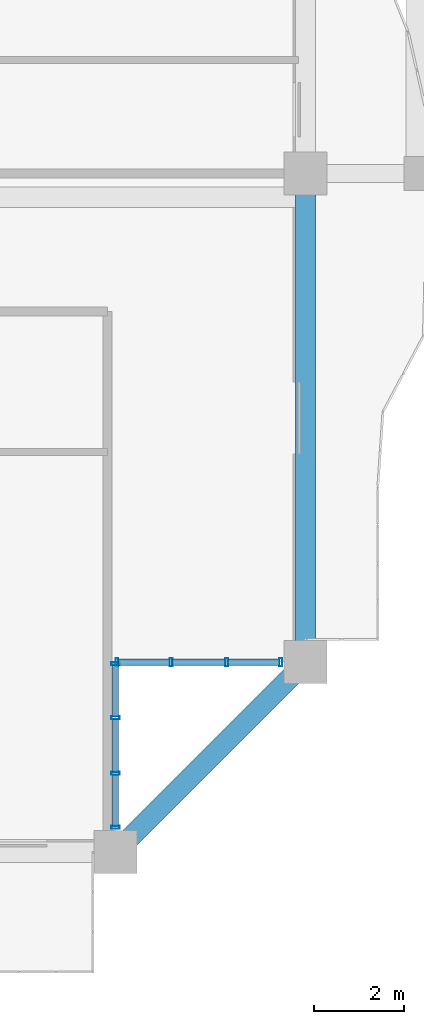
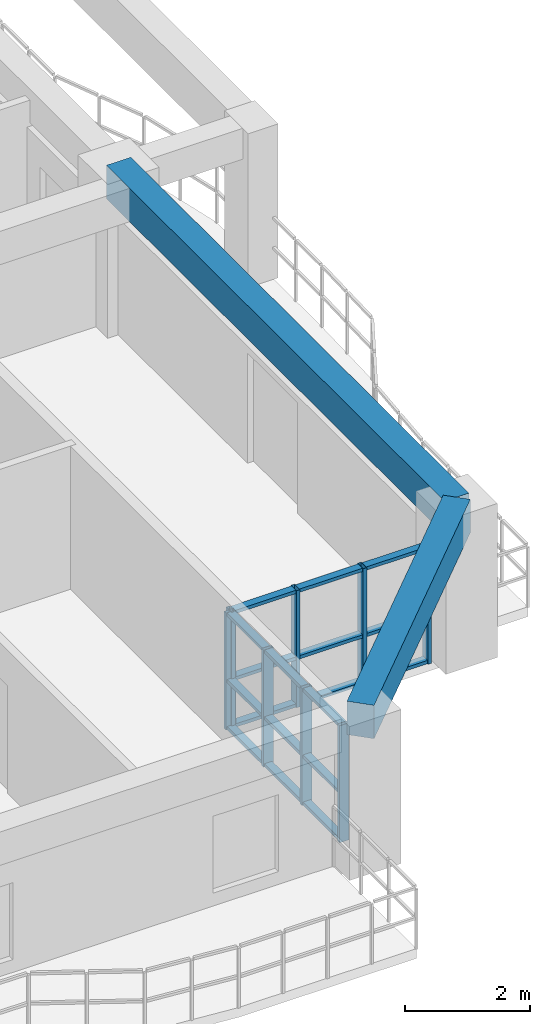
# One storey, part 4 of 25: 26 members, 2 beams, 2 elements without a shape of their own.
"""IFC4 building model written with IfcOpenShell, lengths in metres."""

from ifc_helpers import new_model, si_unit, direction, frame, origin, origin_2d, place, context, subcontext, project, spatial, rectangle, hollow_rectangle, extrude, source, transform, mapped, material, layer, layer_set, material_profile, profile_set, type_object, element, aggregate, save


model = new_model("IFC4")

# Units and contexts
model_context = context("Model", 3, precision=1e-05, world=origin(), true_north=direction((0.0, 1.0)))
body_context = subcontext(model_context, "Body", "Model", "MODEL_VIEW")
ifc_project = project(units=[si_unit("LENGTHUNIT", "METRE"), si_unit("AREAUNIT", "SQUARE_METRE"), si_unit("VOLUMEUNIT", "CUBIC_METRE"), si_unit("PLANEANGLEUNIT", "RADIAN"), si_unit("MASSUNIT", "GRAM", prefix="KILO")], contexts=[model_context])

# Site, building, storey
site_placement = place(None, origin())
site = spatial("IfcSite", under=ifc_project, at=site_placement, CompositionType="ELEMENT")
building_placement = place(site_placement, origin())
building = spatial("IfcBuilding", under=site, at=building_placement, Name="Saelheon Loggia Tower", CompositionType="ELEMENT")
storey_placement = place(building_placement, frame((0.0, 0.0, 80.85009765625)))
storey = spatial("IfcBuildingStorey", under=building, at=storey_placement, Name="L25", CompositionType="ELEMENT", Elevation=80.85009765625)

# Beams
ifc_material_1 = material(Name="Concrete C40/50", Category="concrete")
ifc_material_profile_1 = material_profile(ifc_material_1, rectangle(XDim=0.449951171875, YDim=0.64990234375, at=origin_2d()), Name="RC-450x650")
ifc_profile_set_1 = profile_set([ifc_material_profile_1], Name="Concrete C40/50")
beam_type = type_object("IfcBeamType", Name="Beam_PerimTower_RC450x650", PredefinedType="BEAM", material=ifc_profile_set_1)
shared_shape_1 = source(origin(), body_context, "Body", "SweptSolid", [
    extrude(rectangle(XDim=0.449951171875, YDim=0.64990234375, at=origin_2d()), origin(), (0.0, 0.0, 1.0), 5.939697265625),
])
beam_1_placement = place(storey_placement, frame((59.800048828125, 3.0, 2.6748046875), z_axis=(0.707106781187, 0.707106781187, 0.0), x_axis=(-0.707106781187, 0.707106781187, 0.0)))
element("IfcBeam", 1, at=beam_1_placement, inside=storey, type_object=beam_type, Name="L25 Perimeter Frame Girder 04", PredefinedType="BEAM", context=body_context, shape_type="MappedRepresentation", body=[
    mapped(shared_shape_1, transform((0.0, 0.0, 0.0), scale=1.0)),
])
shared_shape_2 = source(origin(), body_context, "Body", "SweptSolid", [
    extrude(rectangle(XDim=0.449951171875, YDim=0.64990234375, at=origin_2d()), origin(), (0.0, 0.0, 1.0), 10.800048828125),
])
beam_2_placement = place(storey_placement, frame((64.0, 7.199951171875, 2.6748046875), z_axis=(0.0, 1.0, 0.0), x_axis=(-1.0, 0.0, 0.0)))
element("IfcBeam", 2, at=beam_2_placement, inside=storey, type_object=beam_type, Name="L25 Perimeter Frame Girder 05", PredefinedType="BEAM", context=body_context, shape_type="MappedRepresentation", body=[
    mapped(shared_shape_2, transform((0.0, 0.0, 0.0), scale=1.0)),
])

# Curtain wall, members
ifc_material_2 = material(Name="Thermal-Break Aluminium and Triple Low-E Glass", Category="aluminium")
ifc_layer = layer(ifc_material_2, 0.159912109375)
ifc_layer_set = layer_set([ifc_layer], Name="Thermal-Break Aluminium and Triple Low-E Glass")
curtain_wall_type = type_object("IfcCurtainWallType", Name="CW_TowerLoggiaLow", PredefinedType="NOTDEFINED", material=ifc_layer_set)
curtain_wall_1_placement = place(storey_placement, origin())
curtain_wall_1 = element("IfcCurtainWall", 3, at=curtain_wall_1_placement, inside=storey, type_object=curtain_wall_type, Name="L25 Corner Notch Glazing SE1", PredefinedType="NOTDEFINED")
ifc_material_3 = material(Name="Anodised Aluminium 6063-T6", Category="aluminium")
ifc_material_profile_2 = material_profile(ifc_material_3, hollow_rectangle(XDim=0.06494140625, YDim=0.179931640625, WallThickness=0.00390625, at=origin_2d()), Name="RHS-180x65x4")
ifc_profile_set_2 = profile_set([ifc_material_profile_2], Name="Anodised Aluminium 6063-T6")
member_type_1 = type_object("IfcMemberType", Name="CW_TowerLoggiaLow_Mullion", PredefinedType="MULLION", material=ifc_profile_set_2)
shared_shape_3 = source(origin(), body_context, "Body", "SweptSolid", [
    extrude(hollow_rectangle(XDim=0.06494140625, YDim=0.179931640625, WallThickness=0.00390625, at=origin_2d()), origin(), (0.0, 0.0, 1.0), 2.27978515625),
])
member_1_placement = place(storey_placement, frame((59.800048828125, 3.547607421875, 0.0), z_axis=(0.0, 0.0, 1.0), x_axis=(0.0, 1.0, 0.0)))
member_1 = element("IfcMember", 4, at=member_1_placement, type_object=member_type_1, Name="CW3 mullion 1", PredefinedType="MULLION", context=body_context, shape_type="MappedRepresentation", body=[
    mapped(shared_shape_3, transform((0.0, 0.0, 0.0), scale=1.0)),
])
member_2_placement = place(storey_placement, frame((59.800048828125, 4.743408203125, 0.0), z_axis=(0.0, 0.0, 1.0), x_axis=(0.0, 1.0, 0.0)))
member_2 = element("IfcMember", 5, at=member_2_placement, type_object=member_type_1, Name="CW3 mullion 2", PredefinedType="MULLION", context=body_context, shape_type="MappedRepresentation", body=[
    mapped(shared_shape_3, transform((0.0, 0.0, 0.0), scale=1.0)),
])
member_3_placement = place(storey_placement, frame((59.800048828125, 5.9716796875, 0.0), z_axis=(0.0, 0.0, 1.0), x_axis=(0.0, 1.0, 0.0)))
member_3 = element("IfcMember", 6, at=member_3_placement, type_object=member_type_1, Name="CW3 mullion 3", PredefinedType="MULLION", context=body_context, shape_type="MappedRepresentation", body=[
    mapped(shared_shape_3, transform((0.0, 0.0, 0.0), scale=1.0)),
])
member_4_placement = place(storey_placement, frame((59.800048828125, 7.16748046875, 0.0), z_axis=(0.0, 0.0, 1.0), x_axis=(0.0, 1.0, 0.0)))
member_4 = element("IfcMember", 7, at=member_4_placement, type_object=member_type_1, Name="CW3 mullion 4", PredefinedType="MULLION", context=body_context, shape_type="MappedRepresentation", body=[
    mapped(shared_shape_3, transform((0.0, 0.0, 0.0), scale=1.0)),
])

curtain_wall_2_placement = place(storey_placement, origin())
curtain_wall_2 = element("IfcCurtainWall", 8, at=curtain_wall_2_placement, inside=storey, type_object=curtain_wall_type, Name="L25 Corner Notch Glazing SE2", PredefinedType="NOTDEFINED")
member_5_placement = place(storey_placement, frame((59.83251953125, 7.199951171875, 0.0), z_axis=(0.0, 0.0, 1.0), x_axis=(1.0, 0.0, 0.0)))
member_5 = element("IfcMember", 9, at=member_5_placement, type_object=member_type_1, Name="CW3 mullion 1", PredefinedType="MULLION", context=body_context, shape_type="MappedRepresentation", body=[
    mapped(shared_shape_3, transform((0.0, 0.0, 0.0), scale=1.0)),
])
member_6_placement = place(storey_placement, frame((61.0283203125, 7.199951171875, 0.0), z_axis=(0.0, 0.0, 1.0), x_axis=(1.0, 0.0, 0.0)))
member_6 = element("IfcMember", 10, at=member_6_placement, type_object=member_type_1, Name="CW3 mullion 2", PredefinedType="MULLION", context=body_context, shape_type="MappedRepresentation", body=[
    mapped(shared_shape_3, transform((0.0, 0.0, 0.0), scale=1.0)),
])
member_7_placement = place(storey_placement, frame((62.256591796875, 7.199951171875, 0.0), z_axis=(0.0, 0.0, 1.0), x_axis=(1.0, 0.0, 0.0)))
member_7 = element("IfcMember", 11, at=member_7_placement, type_object=member_type_1, Name="CW3 mullion 3", PredefinedType="MULLION", context=body_context, shape_type="MappedRepresentation", body=[
    mapped(shared_shape_3, transform((0.0, 0.0, 0.0), scale=1.0)),
])
member_8_placement = place(storey_placement, frame((63.452392578125, 7.199951171875, 0.0), z_axis=(0.0, 0.0, 1.0), x_axis=(1.0, 0.0, 0.0)))
member_8 = element("IfcMember", 12, at=member_8_placement, type_object=member_type_1, Name="CW3 mullion 4", PredefinedType="MULLION", context=body_context, shape_type="MappedRepresentation", body=[
    mapped(shared_shape_3, transform((0.0, 0.0, 0.0), scale=1.0)),
])

# Member
ifc_material_profile_3 = material_profile(ifc_material_3, hollow_rectangle(XDim=0.06494140625, YDim=0.139892578125, WallThickness=0.00390625, at=origin_2d()), Name="RHS-140x65x4")
ifc_profile_set_3 = profile_set([ifc_material_profile_3], Name="Anodised Aluminium 6063-T6")
member_type_2 = type_object("IfcMemberType", Name="CW_TowerLoggiaLow_Transom", PredefinedType="USERDEFINED", material=ifc_profile_set_3)
shared_shape_4 = source(origin(), body_context, "Body", "SweptSolid", [
    extrude(hollow_rectangle(XDim=0.06494140625, YDim=0.139892578125, WallThickness=0.00390625, at=origin_2d()), origin(), (0.0, 0.0, 1.0), 1.130859375),
])
member_9_placement = place(storey_placement, frame((59.800048828125, 3.580078125, 0.032470703125), z_axis=(0.0, 1.0, 0.0), x_axis=(0.0, 0.0, 1.0)))
member_9 = element("IfcMember", 13, at=member_9_placement, type_object=member_type_2, Name="CW3 transom 1.1", ObjectType="TRANSOM", PredefinedType="USERDEFINED", context=body_context, shape_type="MappedRepresentation", body=[
    mapped(shared_shape_4, transform((0.0, 0.0, 0.0), scale=1.0)),
])

member_10_placement = place(storey_placement, frame((59.800048828125, 3.580078125, 0.949951171875), z_axis=(0.0, 1.0, 0.0), x_axis=(0.0, 0.0, 1.0)))
member_10 = element("IfcMember", 14, at=member_10_placement, type_object=member_type_2, Name="CW3 transom 1.2", ObjectType="TRANSOM", PredefinedType="USERDEFINED", context=body_context, shape_type="MappedRepresentation", body=[
    mapped(shared_shape_4, transform((0.0, 0.0, 0.0), scale=1.0)),
])

member_11_placement = place(storey_placement, frame((59.800048828125, 3.580078125, 2.247314453125), z_axis=(0.0, 1.0, 0.0), x_axis=(0.0, 0.0, 1.0)))
member_11 = element("IfcMember", 15, at=member_11_placement, type_object=member_type_2, Name="CW3 transom 1.3", ObjectType="TRANSOM", PredefinedType="USERDEFINED", context=body_context, shape_type="MappedRepresentation", body=[
    mapped(shared_shape_4, transform((0.0, 0.0, 0.0), scale=1.0)),
])

member_12_placement = place(storey_placement, frame((59.800048828125, 6.004150390625, 0.032470703125), z_axis=(0.0, 1.0, 0.0), x_axis=(0.0, 0.0, 1.0)))
member_12 = element("IfcMember", 16, at=member_12_placement, type_object=member_type_2, Name="CW3 transom 3.1", ObjectType="TRANSOM", PredefinedType="USERDEFINED", context=body_context, shape_type="MappedRepresentation", body=[
    mapped(shared_shape_4, transform((0.0, 0.0, 0.0), scale=1.0)),
])

member_13_placement = place(storey_placement, frame((59.800048828125, 6.004150390625, 0.949951171875), z_axis=(0.0, 1.0, 0.0), x_axis=(0.0, 0.0, 1.0)))
member_13 = element("IfcMember", 17, at=member_13_placement, type_object=member_type_2, Name="CW3 transom 3.2", ObjectType="TRANSOM", PredefinedType="USERDEFINED", context=body_context, shape_type="MappedRepresentation", body=[
    mapped(shared_shape_4, transform((0.0, 0.0, 0.0), scale=1.0)),
])

member_14_placement = place(storey_placement, frame((59.800048828125, 6.004150390625, 2.247314453125), z_axis=(0.0, 1.0, 0.0), x_axis=(0.0, 0.0, 1.0)))
member_14 = element("IfcMember", 18, at=member_14_placement, type_object=member_type_2, Name="CW3 transom 3.3", ObjectType="TRANSOM", PredefinedType="USERDEFINED", context=body_context, shape_type="MappedRepresentation", body=[
    mapped(shared_shape_4, transform((0.0, 0.0, 0.0), scale=1.0)),
])

member_15_placement = place(storey_placement, frame((59.864990234375, 7.199951171875, 0.032470703125), z_axis=(1.0, 0.0, 0.0), x_axis=(0.0, 0.0, 1.0)))
member_15 = element("IfcMember", 19, at=member_15_placement, type_object=member_type_2, Name="CW3 transom 1.1", ObjectType="TRANSOM", PredefinedType="USERDEFINED", context=body_context, shape_type="MappedRepresentation", body=[
    mapped(shared_shape_4, transform((0.0, 0.0, 0.0), scale=1.0)),
])

member_16_placement = place(storey_placement, frame((59.864990234375, 7.199951171875, 0.949951171875), z_axis=(1.0, 0.0, 0.0), x_axis=(0.0, 0.0, 1.0)))
member_16 = element("IfcMember", 20, at=member_16_placement, type_object=member_type_2, Name="CW3 transom 1.2", ObjectType="TRANSOM", PredefinedType="USERDEFINED", context=body_context, shape_type="MappedRepresentation", body=[
    mapped(shared_shape_4, transform((0.0, 0.0, 0.0), scale=1.0)),
])

member_17_placement = place(storey_placement, frame((59.864990234375, 7.199951171875, 2.247314453125), z_axis=(1.0, 0.0, 0.0), x_axis=(0.0, 0.0, 1.0)))
member_17 = element("IfcMember", 21, at=member_17_placement, type_object=member_type_2, Name="CW3 transom 1.3", ObjectType="TRANSOM", PredefinedType="USERDEFINED", context=body_context, shape_type="MappedRepresentation", body=[
    mapped(shared_shape_4, transform((0.0, 0.0, 0.0), scale=1.0)),
])

member_18_placement = place(storey_placement, frame((62.2890625, 7.199951171875, 0.032470703125), z_axis=(1.0, 0.0, 0.0), x_axis=(0.0, 0.0, 1.0)))
member_18 = element("IfcMember", 22, at=member_18_placement, type_object=member_type_2, Name="CW3 transom 3.1", ObjectType="TRANSOM", PredefinedType="USERDEFINED", context=body_context, shape_type="MappedRepresentation", body=[
    mapped(shared_shape_4, transform((0.0, 0.0, 0.0), scale=1.0)),
])

member_19_placement = place(storey_placement, frame((62.2890625, 7.199951171875, 0.949951171875), z_axis=(1.0, 0.0, 0.0), x_axis=(0.0, 0.0, 1.0)))
member_19 = element("IfcMember", 23, at=member_19_placement, type_object=member_type_2, Name="CW3 transom 3.2", ObjectType="TRANSOM", PredefinedType="USERDEFINED", context=body_context, shape_type="MappedRepresentation", body=[
    mapped(shared_shape_4, transform((0.0, 0.0, 0.0), scale=1.0)),
])

member_20_placement = place(storey_placement, frame((62.2890625, 7.199951171875, 2.247314453125), z_axis=(1.0, 0.0, 0.0), x_axis=(0.0, 0.0, 1.0)))
member_20 = element("IfcMember", 24, at=member_20_placement, type_object=member_type_2, Name="CW3 transom 3.3", ObjectType="TRANSOM", PredefinedType="USERDEFINED", context=body_context, shape_type="MappedRepresentation", body=[
    mapped(shared_shape_4, transform((0.0, 0.0, 0.0), scale=1.0)),
])

shared_shape_5 = source(origin(), body_context, "Body", "SweptSolid", [
    extrude(hollow_rectangle(XDim=0.06494140625, YDim=0.139892578125, WallThickness=0.00390625, at=origin_2d()), origin(), (0.0, 0.0, 1.0), 1.163330078125),
])
member_21_placement = place(storey_placement, frame((59.800048828125, 4.77587890625, 0.032470703125), z_axis=(0.0, 1.0, 0.0), x_axis=(0.0, 0.0, 1.0)))
member_21 = element("IfcMember", 25, at=member_21_placement, type_object=member_type_2, Name="CW3 transom 2.1", ObjectType="TRANSOM", PredefinedType="USERDEFINED", context=body_context, shape_type="MappedRepresentation", body=[
    mapped(shared_shape_5, transform((0.0, 0.0, 0.0), scale=1.0)),
])

member_22_placement = place(storey_placement, frame((59.800048828125, 4.77587890625, 0.949951171875), z_axis=(0.0, 1.0, 0.0), x_axis=(0.0, 0.0, 1.0)))
member_22 = element("IfcMember", 26, at=member_22_placement, type_object=member_type_2, Name="CW3 transom 2.2", ObjectType="TRANSOM", PredefinedType="USERDEFINED", context=body_context, shape_type="MappedRepresentation", body=[
    mapped(shared_shape_5, transform((0.0, 0.0, 0.0), scale=1.0)),
])

member_23_placement = place(storey_placement, frame((59.800048828125, 4.77587890625, 2.247314453125), z_axis=(0.0, 1.0, 0.0), x_axis=(0.0, 0.0, 1.0)))
member_23 = element("IfcMember", 27, at=member_23_placement, type_object=member_type_2, Name="CW3 transom 2.3", ObjectType="TRANSOM", PredefinedType="USERDEFINED", context=body_context, shape_type="MappedRepresentation", body=[
    mapped(shared_shape_5, transform((0.0, 0.0, 0.0), scale=1.0)),
])

aggregate(curtain_wall_1, [member_1, member_2, member_3, member_4, member_9, member_10, member_11, member_21, member_22, member_23, member_12, member_13, member_14])

member_24_placement = place(storey_placement, frame((61.060791015625, 7.199951171875, 0.032470703125), z_axis=(1.0, 0.0, 0.0), x_axis=(0.0, 0.0, 1.0)))
member_24 = element("IfcMember", 28, at=member_24_placement, type_object=member_type_2, Name="CW3 transom 2.1", ObjectType="TRANSOM", PredefinedType="USERDEFINED", context=body_context, shape_type="MappedRepresentation", body=[
    mapped(shared_shape_5, transform((0.0, 0.0, 0.0), scale=1.0)),
])

member_25_placement = place(storey_placement, frame((61.060791015625, 7.199951171875, 0.949951171875), z_axis=(1.0, 0.0, 0.0), x_axis=(0.0, 0.0, 1.0)))
member_25 = element("IfcMember", 29, at=member_25_placement, type_object=member_type_2, Name="CW3 transom 2.2", ObjectType="TRANSOM", PredefinedType="USERDEFINED", context=body_context, shape_type="MappedRepresentation", body=[
    mapped(shared_shape_5, transform((0.0, 0.0, 0.0), scale=1.0)),
])

member_26_placement = place(storey_placement, frame((61.060791015625, 7.199951171875, 2.247314453125), z_axis=(1.0, 0.0, 0.0), x_axis=(0.0, 0.0, 1.0)))
member_26 = element("IfcMember", 30, at=member_26_placement, type_object=member_type_2, Name="CW3 transom 2.3", ObjectType="TRANSOM", PredefinedType="USERDEFINED", context=body_context, shape_type="MappedRepresentation", body=[
    mapped(shared_shape_5, transform((0.0, 0.0, 0.0), scale=1.0)),
])

aggregate(curtain_wall_2, [member_5, member_6, member_7, member_8, member_15, member_16, member_17, member_24, member_25, member_26, member_18, member_19, member_20])

save(model, "model.ifc")
